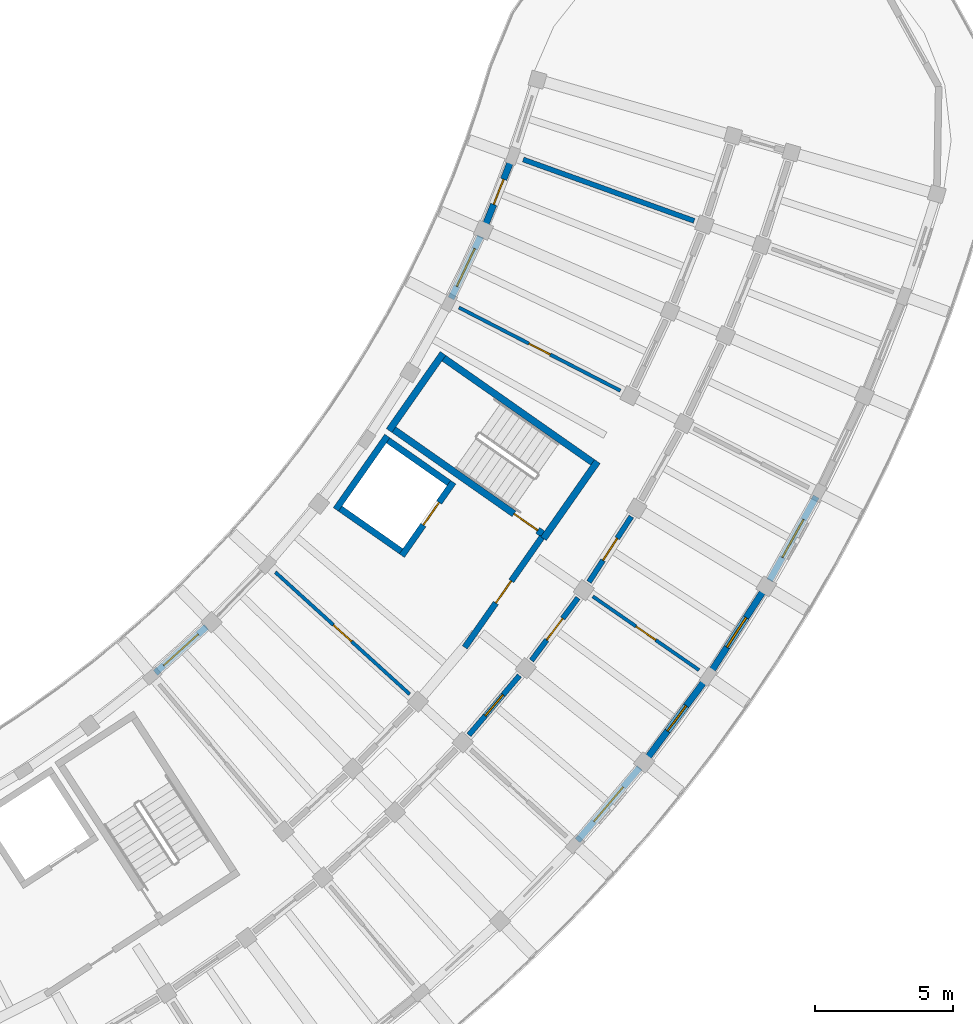
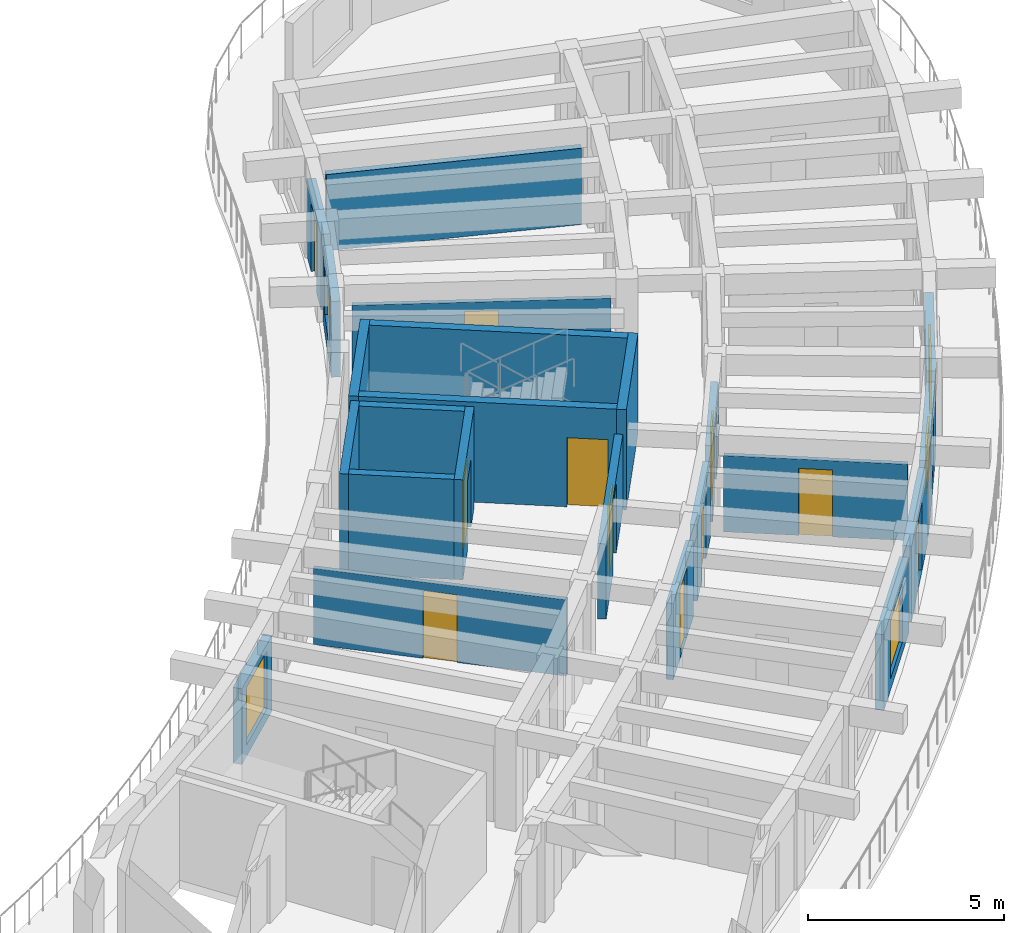
# One storey, part 41 of 69: 23 walls, 11 doors, 5 windows, 16 openings.
"""IFC4 building model written with IfcOpenShell, lengths in metres."""

import ifcopenshell
import ifcopenshell.guid

model = None  # the IFC model being written
_history = None  # IfcOwnerHistory: only IFC2X3 demands one
_inside = {}  # id of a spatial element -> (the spatial element, [elements in it])
_under = {}  # id of a project, library or spatial element -> (it, [spatial elements below it])
_declared = {}  # id of a project -> (the project, [libraries it declares])
_typed = {}  # id of a type object -> (the type object, [elements of that type])
_made_of = {}  # id of a material, layer set ... -> (it, [elements and type objects made of it])


def new_model(schema):
    """Start an empty IFC model of exactly this schema.

    Asked for "IFC4X3", IfcOpenShell would pick the latest addendum, in which some entities
    have other attributes; the version numbers below select the first issue.
    IFC2X3 requires an IfcOwnerHistory on every rooted entity: one is made here for all.
    """
    global model, _history
    if schema == "IFC4X3":
        model = ifcopenshell.file(schema_version=(4, 3, 0, 0))
    else:
        model = ifcopenshell.file(schema=schema)
    _inside.clear()
    _under.clear()
    _declared.clear()
    _typed.clear()
    _made_of.clear()
    _history = None
    if model.schema == "IFC2X3":
        org = make("IfcOrganization", Name="unknown")
        user = make(
            "IfcPersonAndOrganization",
            ThePerson=make("IfcPerson", FamilyName="unknown"),
            TheOrganization=org,
        )
        app = make(
            "IfcApplication",
            ApplicationDeveloper=org,
            Version="unknown",
            ApplicationFullName="unknown",
            ApplicationIdentifier="unknown",
        )
        _history = make(
            "IfcOwnerHistory",
            OwningUser=user,
            OwningApplication=app,
            ChangeAction="ADDED",
            CreationDate=0,
        )
    return model


def make(cls, **values):
    """One entity of the class cls with the attributes given. An attribute that is None is left unset."""
    return model.create_entity(
        cls, **{name: value for name, value in values.items() if value is not None}
    )


def rooted(cls, **values):
    """An entity with a GlobalId (a new one), such as an element, a storey or a relation."""
    return make(cls, GlobalId=ifcopenshell.guid.new(), OwnerHistory=_history, **values)


def si_unit(unit_type, name, prefix=None):
    """IfcSIUnit, for example si_unit("LENGTHUNIT", "METRE", prefix="MILLI")."""
    return make("IfcSIUnit", UnitType=unit_type, Prefix=prefix, Name=name)


def assignment(units):
    """IfcUnitAssignment: the units of a project."""
    return None if units is None else make("IfcUnitAssignment", Units=units)


def point(xyz):
    """IfcCartesianPoint."""
    return None if xyz is None else make("IfcCartesianPoint", Coordinates=xyz)


def direction(xyz):
    """IfcDirection."""
    return None if xyz is None else make("IfcDirection", DirectionRatios=xyz)


def frame(location, z_axis=None, x_axis=None):
    """IfcAxis2Placement3D, a coordinate frame: its origin and axes. An axis left out is left unset."""
    return make(
        "IfcAxis2Placement3D",
        Location=point(location),
        Axis=direction(z_axis),
        RefDirection=direction(x_axis),
    )


def frame_2d(location, x_axis=None):
    """IfcAxis2Placement2D, a coordinate frame in the plane: its origin and x axis."""
    return make(
        "IfcAxis2Placement2D", Location=point(location), RefDirection=direction(x_axis)
    )


def origin():
    """The frame at (0, 0, 0) with its axes left unset."""
    return frame((0.0, 0.0, 0.0))


def place(relative_to, where):
    """IfcLocalPlacement: puts the frame where relative to a parent placement (None: the world)."""
    return make(
        "IfcLocalPlacement", PlacementRelTo=relative_to, RelativePlacement=where
    )


def context(
    kind, dimensions, precision=None, world=None, true_north=None, identifier=None
):
    """IfcGeometricRepresentationContext, for example the 3D "Model" context."""
    return make(
        "IfcGeometricRepresentationContext",
        ContextIdentifier=identifier,
        ContextType=kind,
        CoordinateSpaceDimension=dimensions,
        Precision=precision,
        WorldCoordinateSystem=world,
        TrueNorth=true_north,
    )


def subcontext(parent, identifier, kind, view, scale=None):
    """IfcGeometricRepresentationSubContext, for example "Body" below "Model"."""
    return make(
        "IfcGeometricRepresentationSubContext",
        ContextIdentifier=identifier,
        ContextType=kind,
        ParentContext=parent,
        TargetScale=scale,
        TargetView=view,
    )


def project(units=None, contexts=None):
    """IfcProject with its units and contexts."""
    return rooted(
        "IfcProject",
        Name="project",
        RepresentationContexts=contexts,
        UnitsInContext=assignment(units),
    )


def spatial(cls, under=None, at=None, **own):
    """A site, building, storey or space (cls), placed at a placement, below another one or the project."""
    s = rooted(cls, ObjectPlacement=at, **own)
    if under is not None:
        _under.setdefault(under.id(), (under, []))[1].append(s)
    return s


def profile(cls, at=None, kind="AREA", **sizes):
    """A parametric profile (cls). Its sizes go by their IFC names, for example OverallWidth=200.0."""
    return make(cls, ProfileType=kind, Position=at, **sizes)


def rectangle(**sizes):
    """IfcRectangleProfileDef."""
    return profile("IfcRectangleProfileDef", **sizes)


def extrude(swept, where, along, depth):
    """IfcExtrudedAreaSolid: the profile swept, set in the frame where, extruded along a direction by depth."""
    return make(
        "IfcExtrudedAreaSolid",
        SweptArea=swept,
        Position=where,
        ExtrudedDirection=direction(along),
        Depth=depth,
    )


def shape(context_of_items, identifier, shape_type, items):
    """IfcShapeRepresentation: the items that make up one representation, for example the "Body"."""
    return make(
        "IfcShapeRepresentation",
        ContextOfItems=context_of_items,
        RepresentationIdentifier=identifier,
        RepresentationType=shape_type,
        Items=items,
    )


def material(Name=None, Category=None):
    """IfcMaterial."""
    return make("IfcMaterial", Name=Name, Category=Category)


def layer(
    of_material, thickness, ventilated=None, Name=None, Category=None, Priority=None
):
    """IfcMaterialLayer: one layer of a wall or slab, of a material (None: an air gap)."""
    return make(
        "IfcMaterialLayer",
        Material=of_material,
        LayerThickness=thickness,
        IsVentilated=ventilated,
        Name=Name,
        Category=Category,
        Priority=Priority,
    )


def layer_set(layers, Name=None):
    """IfcMaterialLayerSet."""
    return make("IfcMaterialLayerSet", MaterialLayers=layers, LayerSetName=Name)


def made_of(thing, what):
    """Note that an element or type object is made of a material, layer set ...; save() writes the relation."""
    if what is not None:
        _made_of.setdefault(what.id(), (what, []))[1].append(thing)
    return thing


def type_object(cls, material=None, **own):
    """A type object (cls), such as IfcWallType, which elements share."""
    return made_of(rooted(cls, **own), material)


def element(
    cls,
    number,
    at=None,
    inside=None,
    cuts=None,
    type_object=None,
    material=None,
    context=None,
    identifier="Body",
    shape_type=None,
    held_by="IfcProductDefinitionShape",
    body=None,
    shapes=None,
    **own,
):
    """One element of the class cls, such as IfcWall. Its Tag is "e" and its number.

    at: its placement. inside: the storey or other place that contains it. cuts: it is an
    opening in that element (IfcRelVoidsElement). A single representation is given by context,
    identifier, shape_type and body (its items); several are given by shapes. held_by: the class
    of the entity that holds the representations. save() writes the other relations.
    """
    e = rooted(cls, Tag="e%d" % number, ObjectPlacement=at, **own)
    if body is not None:
        shapes = [shape(context, identifier, shape_type, body)]
    if shapes is not None:
        e.Representation = make(held_by, Representations=shapes)
    if inside is not None:
        _inside.setdefault(inside.id(), (inside, []))[1].append(e)
    if cuts is not None:
        rooted(
            "IfcRelVoidsElement", RelatingBuildingElement=cuts, RelatedOpeningElement=e
        )
    if type_object is not None:
        _typed.setdefault(type_object.id(), (type_object, []))[1].append(e)
    return made_of(e, material)


def fill(opening, filler):
    """IfcRelFillsElement: the door or window that sits in an opening."""
    return rooted(
        "IfcRelFillsElement",
        RelatingOpeningElement=opening,
        RelatedBuildingElement=filler,
    )


def aggregate(whole, parts):
    """IfcRelAggregates: a whole, such as a stair, and the parts it consists of."""
    return rooted("IfcRelAggregates", RelatingObject=whole, RelatedObjects=parts)


def save(model, path):
    """Write the relations noted so far, then the file.

    IfcRelAggregates (storeys below a building ...), IfcRelContainedInSpatialStructure (elements
    in a storey), IfcRelDefinesByType, IfcRelAssociatesMaterial and IfcRelDeclares: one each for
    every whole, place, type object, material and project.
    """
    for whole, parts in _under.values():
        aggregate(whole, parts)
    for where, things in _inside.values():
        rooted(
            "IfcRelContainedInSpatialStructure",
            RelatedElements=things,
            RelatingStructure=where,
        )
    for kind, things in _typed.values():
        rooted("IfcRelDefinesByType", RelatedObjects=things, RelatingType=kind)
    for what, things in _made_of.values():
        rooted("IfcRelAssociatesMaterial", RelatedObjects=things, RelatingMaterial=what)
    for by, libraries in _declared.values():
        rooted("IfcRelDeclares", RelatingContext=by, RelatedDefinitions=libraries)
    model.write(path)


model = new_model("IFC4")

# Units and contexts
model_context = context("Model", 3, precision=1e-05, world=origin(), true_north=direction((0.0, 1.0)))
body_context = subcontext(model_context, "Body", "Model", "MODEL_VIEW")
ifc_project = project(units=[si_unit("LENGTHUNIT", "METRE"), si_unit("AREAUNIT", "SQUARE_METRE"), si_unit("VOLUMEUNIT", "CUBIC_METRE"), si_unit("PLANEANGLEUNIT", "RADIAN"), si_unit("MASSUNIT", "GRAM", prefix="KILO")], contexts=[model_context])

# Site, building, storey
site_placement = place(None, origin())
site = spatial("IfcSite", under=ifc_project, at=site_placement, CompositionType="ELEMENT")
building_placement = place(site_placement, origin())
building = spatial("IfcBuilding", under=site, at=building_placement, Name="Tanwirah Colonnade Gardens", CompositionType="ELEMENT")
storey_placement = place(building_placement, frame((0.0, 0.0, 15.56005859375)))
storey = spatial("IfcBuildingStorey", under=building, at=storey_placement, Name="L04", CompositionType="ELEMENT", Elevation=15.56005859375)

# Wall, opening, window
ifc_material_1 = material(Name="Limestone architectural precast concrete C40/50", Category="masonry")
ifc_layer_1 = layer(ifc_material_1, 0.239990234375)
ifc_layer_set_1 = layer_set([ifc_layer_1], Name="Limestone architectural precast concrete C40/50")
wall_type_1 = type_object("IfcWallType", Name="EW-PC240", PredefinedType="SOLIDWALL", material=ifc_layer_set_1)
wall_1_placement = place(storey_placement, frame((149.8388671875, 30.681640625, 0.0), z_axis=(0.0, 0.0, 1.0), x_axis=(0.741683903342, 0.670749571393, 0.0)))
wall_1 = element("IfcWall", 1, at=wall_1_placement, inside=storey, type_object=wall_type_1, Name="Block D L04 IN Precast Facade Wall 7", PredefinedType="SOLIDWALL", context=body_context, shape_type="SweptSolid", body=[
    extrude(rectangle(XDim=2.498779296875, YDim=0.239990234375, at=frame_2d((1.24951171875, 0.0))), origin(), (0.0, 0.0, 1.0), 2.35498046875),
])
opening_1_placement = place(wall_1_placement, frame((0.3994140625, 0.0, 0.35009765625)))
opening_1 = element("IfcOpeningElement", 2, at=opening_1_placement, cuts=wall_1, Name="Opening WIN-T12", PredefinedType="OPENING", context=body_context, shape_type="SweptSolid", body=[
    extrude(rectangle(XDim=1.699951171875, YDim=1.800048828125, at=frame_2d((0.85009765625, 0.89990234375))), frame((0.0, 0.1298828125, 0.0), z_axis=(0.0, -1.0, 0.0), x_axis=(1.0, 0.0, 0.0)), (0.0, 0.0, 1.0), 0.260009765625),
])
ifc_material_2 = material(Name="Thermally broken bronze aluminium and solar low-E double glazing", Category="aluminium")
window_type_1 = type_object("IfcWindowType", Name="WIN-T12", PartitioningType="TRIPLE_PANEL_VERTICAL", PredefinedType="WINDOW", material=ifc_material_2)
window_1_placement = place(opening_1_placement, origin())
window_1 = element("IfcWindow", 3, at=window_1_placement, inside=storey, type_object=window_type_1, Name="Facade window D-L04-IN-07", OverallHeight=1.800048828125, OverallWidth=1.699951171875, PartitioningType="SINGLE_PANEL", PredefinedType="WINDOW", context=body_context, shape_type="SweptSolid", body=[
    extrude(rectangle(XDim=1.699951171875, YDim=1.800048828125, at=frame_2d((0.85009765625, 0.89990234375))), frame((0.0, 0.030029296875, 0.0), z_axis=(0.0, -1.0, 0.0), x_axis=(1.0, 0.0, 0.0)), (0.0, 0.0, 1.0), 0.06005859375),
])
fill(opening_1, window_1)

wall_2_placement = place(storey_placement, frame((165.18359375, 24.58251953125, 0.0), z_axis=(0.0, 0.0, 1.0), x_axis=(0.647811002696, 0.761801092665, 0.0)))
wall_2 = element("IfcWall", 4, at=wall_2_placement, inside=storey, type_object=wall_type_1, Name="Block D L04 OUT Precast Facade Wall 9", PredefinedType="SOLIDWALL", context=body_context, shape_type="SweptSolid", body=[
    extrude(rectangle(XDim=3.48681640625, YDim=0.239990234375, at=frame_2d((1.743408203125, 0.0))), origin(), (0.0, 0.0, 1.0), 2.35498046875),
])
opening_2_placement = place(wall_2_placement, frame((0.91845703125, 0.0, 0.35009765625)))
opening_2 = element("IfcOpeningElement", 5, at=opening_2_placement, cuts=wall_2, Name="Opening WIN-T11", PredefinedType="OPENING", context=body_context, shape_type="SweptSolid", body=[
    extrude(rectangle(XDim=1.64990234375, YDim=1.800048828125, at=frame_2d((0.824951171875, 0.89990234375))), frame((0.0, 0.1298828125, 0.0), z_axis=(0.0, -1.0, 0.0), x_axis=(1.0, 0.0, 0.0)), (0.0, 0.0, 1.0), 0.260009765625),
])
window_type_2 = type_object("IfcWindowType", Name="WIN-T11", PartitioningType="DOUBLE_PANEL_VERTICAL", PredefinedType="WINDOW", material=ifc_material_2)
window_2_placement = place(opening_2_placement, origin())
window_2 = element("IfcWindow", 6, at=window_2_placement, inside=storey, type_object=window_type_2, Name="Facade window D-L04-OUT-09", OverallHeight=1.800048828125, OverallWidth=1.64990234375, PartitioningType="SINGLE_PANEL", PredefinedType="WINDOW", context=body_context, shape_type="SweptSolid", body=[
    extrude(rectangle(XDim=1.64990234375, YDim=1.800048828125, at=frame_2d((0.824951171875, 0.89990234375))), frame((0.0, 0.030029296875, 0.0), z_axis=(0.0, -1.0, 0.0), x_axis=(1.0, 0.0, 0.0)), (0.0, 0.0, 1.0), 0.06005859375),
])
fill(opening_2, window_2)

# Wall, opening, door
wall_3_placement = place(storey_placement, frame((167.75341796875, 27.6298828125, 0.0), z_axis=(0.0, 0.0, 1.0), x_axis=(0.596611432616, 0.802530247699, 0.0)))
wall_3 = element("IfcWall", 7, at=wall_3_placement, inside=storey, type_object=wall_type_1, Name="Block D L04 OUT Precast Facade Wall 10", PredefinedType="SOLIDWALL", context=body_context, shape_type="SweptSolid", body=[
    extrude(rectangle(XDim=3.48681640625, YDim=0.239990234375, at=frame_2d((1.743408203125, 0.0))), origin(), (0.0, 0.0, 1.0), 2.35498046875),
])
opening_3_placement = place(wall_3_placement, frame((1.17333984375, 0.0, 0.0)))
opening_3 = element("IfcOpeningElement", 8, at=opening_3_placement, cuts=wall_3, Name="Opening L04-ED195", PredefinedType="OPENING", context=body_context, shape_type="SweptSolid", body=[
    extrude(rectangle(XDim=1.139892578125, YDim=2.159912109375, at=frame_2d((0.56982421875, 1.080078125))), frame((0.0, 0.1298828125, 0.0), z_axis=(0.0, -1.0, 0.0), x_axis=(1.0, 0.0, 0.0)), (0.0, 0.0, 1.0), 0.260009765625),
])
ifc_material_3 = material(Name="Bronze aluminium glazed balcony door", Category="aluminium")
door_type_1 = type_object("IfcDoorType", Name="ED-BAL114", OperationType="NOTDEFINED", PredefinedType="DOOR", material=ifc_material_3)
door_1_placement = place(opening_3_placement, origin())
door_1 = element("IfcDoor", 9, at=door_1_placement, inside=storey, type_object=door_type_1, Name="Balcony glazed door L04-ED195", OperationType="SINGLE_SWING_LEFT", OverallHeight=2.159912109375, OverallWidth=1.139892578125, PredefinedType="DOOR", context=body_context, shape_type="SweptSolid", body=[
    extrude(rectangle(XDim=1.139892578125, YDim=2.159912109375, at=frame_2d((0.56982421875, 1.080078125))), frame((0.0, 0.02490234375, 0.0), z_axis=(0.0, -1.0, 0.0), x_axis=(1.0, 0.0, 0.0)), (0.0, 0.0, 1.0), 0.050048828125),
])
fill(opening_3, door_1)

# Wall, opening, window
wall_4_placement = place(storey_placement, frame((170.015869140625, 30.691162109375, 0.0), z_axis=(0.0, 0.0, 1.0), x_axis=(0.542833164741, 0.839840553472, 0.0)))
wall_4 = element("IfcWall", 10, at=wall_4_placement, inside=storey, type_object=wall_type_1, Name="Block D L04 OUT Precast Facade Wall 11", PredefinedType="SOLIDWALL", context=body_context, shape_type="SweptSolid", body=[
    extrude(rectangle(XDim=3.48681640625, YDim=0.239990234375, at=frame_2d((1.743408203125, 0.0))), origin(), (0.0, 0.0, 1.0), 2.35498046875),
])
opening_4_placement = place(wall_4_placement, frame((1.103515625, 0.0, 0.550048828125)))
opening_4 = element("IfcOpeningElement", 11, at=opening_4_placement, cuts=wall_4, Name="Opening WIN-T17", PredefinedType="OPENING", context=body_context, shape_type="SweptSolid", body=[
    extrude(rectangle(XDim=1.280029296875, YDim=1.52001953125, at=frame_2d((0.64013671875, 0.760009765625))), frame((0.0, 0.1298828125, 0.0), z_axis=(0.0, -1.0, 0.0), x_axis=(1.0, 0.0, 0.0)), (0.0, 0.0, 1.0), 0.260009765625),
])
window_type_3 = type_object("IfcWindowType", Name="WIN-T17", PartitioningType="SINGLE_PANEL", PredefinedType="WINDOW", material=ifc_material_2)
window_3_placement = place(opening_4_placement, origin())
window_3 = element("IfcWindow", 12, at=window_3_placement, inside=storey, type_object=window_type_3, Name="Facade window D-L04-OUT-11", OverallHeight=1.52001953125, OverallWidth=1.280029296875, PartitioningType="SINGLE_PANEL", PredefinedType="WINDOW", context=body_context, shape_type="SweptSolid", body=[
    extrude(rectangle(XDim=1.280029296875, YDim=1.52001953125, at=frame_2d((0.64013671875, 0.760009765625))), frame((0.0, 0.030029296875, 0.0), z_axis=(0.0, -1.0, 0.0), x_axis=(1.0, 0.0, 0.0)), (0.0, 0.0, 1.0), 0.06005859375),
])
fill(opening_4, window_3)

wall_5_placement = place(storey_placement, frame((172.166015625, 34.0478515625, 0.0), z_axis=(0.0, 0.0, 1.0), x_axis=(0.486706738221, 0.87356542455, 0.0)))
wall_5 = element("IfcWall", 13, at=wall_5_placement, inside=storey, type_object=wall_type_1, Name="Block D L04 OUT Precast Facade Wall 12", PredefinedType="SOLIDWALL", context=body_context, shape_type="SweptSolid", body=[
    extrude(rectangle(XDim=3.48681640625, YDim=0.239990234375, at=frame_2d((1.743408203125, 0.0))), origin(), (0.0, 0.0, 1.0), 2.35498046875),
])
opening_5_placement = place(wall_5_placement, frame((0.953369140625, 0.0, 0.35009765625)))
opening_5 = element("IfcOpeningElement", 14, at=opening_5_placement, cuts=wall_5, Name="Opening WIN-T20", PredefinedType="OPENING", context=body_context, shape_type="SweptSolid", body=[
    extrude(rectangle(XDim=1.580078125, YDim=1.679931640625, at=frame_2d((0.7900390625, 0.83984375))), frame((0.0, 0.1298828125, 0.0), z_axis=(0.0, -1.0, 0.0), x_axis=(1.0, 0.0, 0.0)), (0.0, 0.0, 1.0), 0.260009765625),
])
window_type_4 = type_object("IfcWindowType", Name="WIN-T20", PartitioningType="DOUBLE_PANEL_VERTICAL", PredefinedType="WINDOW", material=ifc_material_2)
window_4_placement = place(opening_5_placement, origin())
window_4 = element("IfcWindow", 15, at=window_4_placement, inside=storey, type_object=window_type_4, Name="Facade window D-L04-OUT-12", OverallHeight=1.679931640625, OverallWidth=1.580078125, PartitioningType="SINGLE_PANEL", PredefinedType="WINDOW", context=body_context, shape_type="SweptSolid", body=[
    extrude(rectangle(XDim=1.580078125, YDim=1.679931640625, at=frame_2d((0.7900390625, 0.83984375))), frame((0.0, 0.030029296875, 0.0), z_axis=(0.0, -1.0, 0.0), x_axis=(1.0, 0.0, 0.0)), (0.0, 0.0, 1.0), 0.06005859375),
])
fill(opening_5, window_4)

wall_6_placement = place(storey_placement, frame((160.58544921875, 44.2919921875, 0.0), z_axis=(0.0, 0.0, 1.0), x_axis=(0.428514676045, 0.903534820809, 0.0)))
wall_6 = element("IfcWall", 16, at=wall_6_placement, inside=storey, type_object=wall_type_1, Name="Block D L04 IN Precast Facade Wall 13", PredefinedType="SOLIDWALL", context=body_context, shape_type="SweptSolid", body=[
    extrude(rectangle(XDim=2.498779296875, YDim=0.239990234375, at=frame_2d((1.24951171875, 0.0))), origin(), (0.0, 0.0, 1.0), 2.35498046875),
])
opening_6_placement = place(wall_6_placement, frame((0.489501953125, 0.0, 0.550048828125)))
opening_6 = element("IfcOpeningElement", 17, at=opening_6_placement, cuts=wall_6, Name="Opening WIN-U10", PredefinedType="OPENING", context=body_context, shape_type="SweptSolid", body=[
    extrude(rectangle(XDim=1.52001953125, YDim=1.485107421875, at=frame_2d((0.760009765625, 0.74267578125))), frame((0.0, 0.1298828125, 0.0), z_axis=(0.0, -1.0, 0.0), x_axis=(1.0, 0.0, 0.0)), (0.0, 0.0, 1.0), 0.260009765625),
])
window_type_5 = type_object("IfcWindowType", Name="WIN-U10", PartitioningType="DOUBLE_PANEL_VERTICAL", PredefinedType="WINDOW", material=ifc_material_2)
window_5_placement = place(opening_6_placement, origin())
window_5 = element("IfcWindow", 18, at=window_5_placement, inside=storey, type_object=window_type_5, Name="Facade window D-L04-IN-13", OverallHeight=1.485107421875, OverallWidth=1.52001953125, PartitioningType="SINGLE_PANEL", PredefinedType="WINDOW", context=body_context, shape_type="SweptSolid", body=[
    extrude(rectangle(XDim=1.52001953125, YDim=1.485107421875, at=frame_2d((0.760009765625, 0.74267578125))), frame((0.0, 0.030029296875, 0.0), z_axis=(0.0, -1.0, 0.0), x_axis=(1.0, 0.0, 0.0)), (0.0, 0.0, 1.0), 0.06005859375),
])
fill(opening_6, window_5)

# Wall, opening, door
wall_7_placement = place(storey_placement, frame((161.85546875, 47.008056640625, 0.0), z_axis=(0.0, 0.0, 1.0), x_axis=(0.368558756085, 0.9296044553, 0.0)))
wall_7 = element("IfcWall", 19, at=wall_7_placement, inside=storey, type_object=wall_type_1, Name="Block D L04 IN Precast Facade Wall 14", PredefinedType="SOLIDWALL", context=body_context, shape_type="SweptSolid", body=[
    extrude(rectangle(XDim=2.49853515625, YDim=0.239990234375, at=frame_2d((1.249267578125, 0.0))), origin(), (0.0, 0.0, 1.0), 2.35498046875),
])
opening_7_placement = place(wall_7_placement, frame((0.759521484375, 0.0, 0.0)))
opening_7 = element("IfcOpeningElement", 20, at=opening_7_placement, cuts=wall_7, Name="Opening L04-ED197", PredefinedType="OPENING", context=body_context, shape_type="SweptSolid", body=[
    extrude(rectangle(XDim=0.97998046875, YDim=2.1201171875, at=frame_2d((0.489990234375, 1.06005859375))), frame((0.0, 0.1298828125, 0.0), z_axis=(0.0, -1.0, 0.0), x_axis=(1.0, 0.0, 0.0)), (0.0, 0.0, 1.0), 0.260009765625),
])
door_type_2 = type_object("IfcDoorType", Name="ED-BAL098", OperationType="NOTDEFINED", PredefinedType="DOOR", material=ifc_material_3)
door_2_placement = place(opening_7_placement, origin())
door_2 = element("IfcDoor", 21, at=door_2_placement, inside=storey, type_object=door_type_2, Name="Balcony glazed door L04-ED197", OperationType="SINGLE_SWING_LEFT", OverallHeight=2.1201171875, OverallWidth=0.97998046875, PredefinedType="DOOR", context=body_context, shape_type="SweptSolid", body=[
    extrude(rectangle(XDim=0.97998046875, YDim=2.1201171875, at=frame_2d((0.489990234375, 1.06005859375))), frame((0.0, 0.02490234375, 0.0), z_axis=(0.0, -1.0, 0.0), x_axis=(1.0, 0.0, 0.0)), (0.0, 0.0, 1.0), 0.050048828125),
])
fill(opening_7, door_2)

ifc_material_4 = material(Name="Precast concrete C40/50", Category="concrete")
ifc_layer_2 = layer(ifc_material_4, 0.195068359375)
ifc_layer_set_2 = layer_set([ifc_layer_2], Name="Precast concrete C40/50")
wall_type_2 = type_object("IfcWallType", Name="IW-CORR195", PredefinedType="PARTITIONING", material=ifc_layer_set_2)
wall_8_placement = place(storey_placement, frame((161.235595703125, 28.42529296875, 0.0), z_axis=(0.0, 0.0, 1.0), x_axis=(0.64778830669, 0.761820392032, 0.0)))
wall_8 = element("IfcWall", 22, at=wall_8_placement, inside=storey, type_object=wall_type_2, Name="Block D L04 OUT Corridor Wall 9", PredefinedType="PARTITIONING", context=body_context, shape_type="SweptSolid", body=[
    extrude(rectangle(XDim=2.8369140625, YDim=0.195068359375, at=frame_2d((1.41845703125, 0.0))), origin(), (0.0, 0.0, 1.0), 2.369873046875),
])
opening_8_placement = place(wall_8_placement, frame((0.923583984375, 0.0, 0.0)))
opening_8 = element("IfcOpeningElement", 23, at=opening_8_placement, cuts=wall_8, Name="Opening L04-AD1822", PredefinedType="OPENING", context=body_context, shape_type="SweptSolid", body=[
    extrude(rectangle(XDim=0.989990234375, YDim=2.159912109375, at=frame_2d((0.4951171875, 1.080078125))), frame((0.0, 0.107421875, 0.0), z_axis=(0.0, -1.0, 0.0), x_axis=(1.0, 0.0, 0.0)), (0.0, 0.0, 1.0), 0.215087890625),
])
ifc_material_5 = material(Name="Solid oak fire-resisting apartment entrance door")
door_type_3 = type_object("IfcDoorType", Name="ID-FLT099", OperationType="NOTDEFINED", PredefinedType="DOOR", material=ifc_material_5)
door_3_placement = place(opening_8_placement, origin())
door_3 = element("IfcDoor", 24, at=door_3_placement, inside=storey, type_object=door_type_3, Name="Apartment corridor door L04-AD1822", OperationType="SINGLE_SWING_RIGHT", OverallHeight=2.159912109375, OverallWidth=0.989990234375, PredefinedType="DOOR", context=body_context, shape_type="SweptSolid", body=[
    extrude(rectangle(XDim=0.989990234375, YDim=2.159912109375, at=frame_2d((0.4951171875, 1.080078125))), frame((0.0, 0.02490234375, 0.0), z_axis=(0.0, -1.0, 0.0), x_axis=(1.0, 0.0, 0.0)), (0.0, 0.0, 1.0), 0.050048828125),
])
fill(opening_8, door_3)

wall_9_placement = place(storey_placement, frame((163.5087890625, 31.134033203125, 0.0), z_axis=(0.0, 0.0, 1.0), x_axis=(0.596552136601, 0.802574325727, 0.0)))
wall_9 = element("IfcWall", 25, at=wall_9_placement, inside=storey, type_object=wall_type_2, Name="Block D L04 OUT Corridor Wall 10", PredefinedType="PARTITIONING", context=body_context, shape_type="SweptSolid", body=[
    extrude(rectangle(XDim=2.8369140625, YDim=0.195068359375, at=frame_2d((1.41845703125, 0.0))), origin(), (0.0, 0.0, 1.0), 2.369873046875),
])
opening_9_placement = place(wall_9_placement, frame((0.93359375, 0.0, 0.0)))
opening_9 = element("IfcOpeningElement", 26, at=opening_9_placement, cuts=wall_9, Name="Opening L04-AD1823", PredefinedType="OPENING", context=body_context, shape_type="SweptSolid", body=[
    extrude(rectangle(XDim=0.969970703125, YDim=2.14990234375, at=frame_2d((0.48486328125, 1.074951171875))), frame((0.0, 0.107421875, 0.0), z_axis=(0.0, -1.0, 0.0), x_axis=(1.0, 0.0, 0.0)), (0.0, 0.0, 1.0), 0.215087890625),
])
door_type_4 = type_object("IfcDoorType", Name="ID-FLT097", OperationType="NOTDEFINED", PredefinedType="DOOR", material=ifc_material_5)
door_4_placement = place(opening_9_placement, origin())
door_4 = element("IfcDoor", 27, at=door_4_placement, inside=storey, type_object=door_type_4, Name="Apartment corridor door L04-AD1823", OperationType="SINGLE_SWING_LEFT", OverallHeight=2.14990234375, OverallWidth=0.969970703125, PredefinedType="DOOR", context=body_context, shape_type="SweptSolid", body=[
    extrude(rectangle(XDim=0.969970703125, YDim=2.14990234375, at=frame_2d((0.48486328125, 1.074951171875))), frame((0.0, 0.02490234375, 0.0), z_axis=(0.0, -1.0, 0.0), x_axis=(1.0, 0.0, 0.0)), (0.0, 0.0, 1.0), 0.050048828125),
])
fill(opening_9, door_4)

wall_10_placement = place(storey_placement, frame((165.60009765625, 33.985595703125, 0.0), z_axis=(0.0, 0.0, 1.0), x_axis=(0.542787304957, 0.83987019329, 0.0)))
wall_10 = element("IfcWall", 28, at=wall_10_placement, inside=storey, type_object=wall_type_2, Name="Block D L04 OUT Corridor Wall 11", PredefinedType="PARTITIONING", context=body_context, shape_type="SweptSolid", body=[
    extrude(rectangle(XDim=2.8369140625, YDim=0.195068359375, at=frame_2d((1.41845703125, 0.0))), origin(), (0.0, 0.0, 1.0), 2.369873046875),
])
opening_10_placement = place(wall_10_placement, frame((0.943603515625, 0.0, 0.0)))
opening_10 = element("IfcOpeningElement", 29, at=opening_10_placement, cuts=wall_10, Name="Opening L04-AD1825", PredefinedType="OPENING", context=body_context, shape_type="SweptSolid", body=[
    extrude(rectangle(XDim=0.949951171875, YDim=2.1298828125, at=frame_2d((0.47509765625, 1.06494140625))), frame((0.0, 0.107421875, 0.0), z_axis=(0.0, -1.0, 0.0), x_axis=(1.0, 0.0, 0.0)), (0.0, 0.0, 1.0), 0.215087890625),
])
door_type_5 = type_object("IfcDoorType", Name="ID-FLT095", OperationType="NOTDEFINED", PredefinedType="DOOR", material=ifc_material_5)
door_5_placement = place(opening_10_placement, origin())
door_5 = element("IfcDoor", 30, at=door_5_placement, inside=storey, type_object=door_type_5, Name="Apartment corridor door L04-AD1825", OperationType="SINGLE_SWING_RIGHT", OverallHeight=2.1298828125, OverallWidth=0.949951171875, PredefinedType="DOOR", context=body_context, shape_type="SweptSolid", body=[
    extrude(rectangle(XDim=0.949951171875, YDim=2.1298828125, at=frame_2d((0.47509765625, 1.06494140625))), frame((0.0, 0.02490234375, 0.0), z_axis=(0.0, -1.0, 0.0), x_axis=(1.0, 0.0, 0.0)), (0.0, 0.0, 1.0), 0.050048828125),
])
fill(opening_10, door_5)

# Wall
ifc_layer_3 = layer(ifc_material_4, 0.18505859375)
ifc_layer_set_3 = layer_set([ifc_layer_3], Name="Precast concrete C40/50")
wall_type_3 = type_object("IfcWallType", Name="IW-DEM185", PredefinedType="PARTITIONING", material=ifc_layer_set_3)
wall_11_placement = place(storey_placement, frame((163.211669921875, 49.344482421875, 0.0), z_axis=(0.0, 0.0, 1.0), x_axis=(0.941179890997, -0.337905922978, 0.0)))
element("IfcWall", 31, at=wall_11_placement, inside=storey, type_object=wall_type_3, Name="Block D L04 Inner Radial Partition 14", PredefinedType="PARTITIONING", context=body_context, shape_type="SweptSolid", body=[
    extrude(rectangle(XDim=6.60009765625, YDim=0.18505859375, at=frame_2d((3.300048828125, 0.0))), origin(), (0.0, 0.0, 1.0), 2.369873046875),
])

# Wall, opening, door
ifc_material_6 = material(Name="Autoclaved aerated masonry blockwork", Category="masonry")
ifc_layer_4 = layer(ifc_material_6, 0.219970703125)
ifc_layer_set_4 = layer_set([ifc_layer_4], Name="Autoclaved aerated masonry blockwork")
wall_type_4 = type_object("IfcWallType", Name="IW-FFL220", PredefinedType="PARTITIONING", material=ifc_layer_set_4)
wall_12_placement = place(storey_placement, frame((163.89501953125, 35.624267578125, 0.0), z_axis=(0.0, 0.0, 1.0), x_axis=(-0.573572687386, -0.819154669329, 0.0)))
wall_12 = element("IfcWall", 32, at=wall_12_placement, inside=storey, type_object=wall_type_4, Name="CORE-D2 L04 Enclosed Lobby Fire Wall", PredefinedType="PARTITIONING", context=body_context, shape_type="SweptSolid", body=[
    extrude(rectangle(XDim=4.900146484375, YDim=0.219970703125, at=frame_2d((2.4501953125, 0.0))), origin(), (0.0, 0.0, 1.0), 2.33984375),
])
opening_11_placement = place(wall_12_placement, frame((1.949951171875, 0.0, 0.0)))
opening_11 = element("IfcOpeningElement", 33, at=opening_11_placement, cuts=wall_12, Name="Opening L04-LD204", PredefinedType="OPENING", context=body_context, shape_type="SweptSolid", body=[
    extrude(rectangle(XDim=0.97998046875, YDim=2.139892578125, at=frame_2d((0.489990234375, 1.06982421875))), frame((0.0, 0.119873046875, 0.0), z_axis=(0.0, -1.0, 0.0), x_axis=(1.0, 0.0, 0.0)), (0.0, 0.0, 1.0), 0.239990234375),
])
ifc_material_7 = material(Name="Acoustic fire-resisting lobby door")
door_type_6 = type_object("IfcDoorType", Name="ID-FFL098", OperationType="NOTDEFINED", PredefinedType="DOOR", material=ifc_material_7)
door_6_placement = place(opening_11_placement, origin())
door_6 = element("IfcDoor", 34, at=door_6_placement, inside=storey, type_object=door_type_6, Name="CORE-D2 L04 Lobby Fire Door L04-LD204", OperationType="SINGLE_SWING_LEFT", OverallHeight=2.139892578125, OverallWidth=0.97998046875, PredefinedType="DOOR", context=body_context, shape_type="SweptSolid", body=[
    extrude(rectangle(XDim=0.97998046875, YDim=2.139892578125, at=frame_2d((0.489990234375, 1.06982421875))), frame((0.0, 0.02490234375, 0.0), z_axis=(0.0, -1.0, 0.0), x_axis=(1.0, 0.0, 0.0)), (0.0, 0.0, 1.0), 0.050048828125),
])
fill(opening_11, door_6)

ifc_material_8 = material(Name="Moisture-resistant gypsum stud partition")
ifc_layer_5 = layer(ifc_material_8, 0.125)
ifc_layer_set_5 = layer_set([ifc_layer_5], Name="Moisture-resistant gypsum stud partition")
wall_type_5 = type_object("IfcWallType", Name="IW-INT125", PredefinedType="PARTITIONING", material=ifc_layer_set_5)
wall_13_placement = place(storey_placement, frame((154.19873046875, 34.34423828125, 0.0), z_axis=(0.0, 0.0, 1.0), x_axis=(0.74023124711, -0.672352363573, 0.0)))
wall_13 = element("IfcWall", 35, at=wall_13_placement, inside=storey, type_object=wall_type_5, Name="Block D L04 Inner Radial Partition 8", PredefinedType="PARTITIONING", context=body_context, shape_type="SweptSolid", body=[
    extrude(rectangle(XDim=6.599853515625, YDim=0.125, at=frame_2d((3.2998046875, 0.0))), origin(), (0.0, 0.0, 1.0), 2.369873046875),
])
opening_12_placement = place(wall_13_placement, frame((2.85498046875, 0.0, 0.0)))
opening_12 = element("IfcOpeningElement", 36, at=opening_12_placement, cuts=wall_13, Name="Opening L04-RD1821", PredefinedType="OPENING", context=body_context, shape_type="SweptSolid", body=[
    extrude(rectangle(XDim=0.889892578125, YDim=2.10009765625, at=frame_2d((0.44482421875, 1.050048828125))), frame((0.0, 0.072509765625, 0.0), z_axis=(0.0, -1.0, 0.0), x_axis=(1.0, 0.0, 0.0)), (0.0, 0.0, 1.0), 0.14501953125),
])
ifc_material_9 = material(Name="Painted hardwood bedroom door", Category="wood")
door_type_7 = type_object("IfcDoorType", Name="ID-RM089", OperationType="NOTDEFINED", PredefinedType="DOOR", material=ifc_material_9)
door_7_placement = place(opening_12_placement, origin())
door_7 = element("IfcDoor", 37, at=door_7_placement, inside=storey, type_object=door_type_7, Name="Internal apartment door L04-RD1821", OperationType="SINGLE_SWING_RIGHT", OverallHeight=2.10009765625, OverallWidth=0.889892578125, PredefinedType="DOOR", context=body_context, shape_type="SweptSolid", body=[
    extrude(rectangle(XDim=0.889892578125, YDim=2.10009765625, at=frame_2d((0.44482421875, 1.050048828125))), frame((0.0, 0.02490234375, 0.0), z_axis=(0.0, -1.0, 0.0), x_axis=(1.0, 0.0, 0.0)), (0.0, 0.0, 1.0), 0.050048828125),
])
fill(opening_12, door_7)

wall_14_placement = place(storey_placement, frame((165.73876953125, 33.463623046875, 0.0), z_axis=(0.0, 0.0, 1.0), x_axis=(0.821638260647, -0.570009270663, 0.0)))
wall_14 = element("IfcWall", 38, at=wall_14_placement, inside=storey, type_object=wall_type_5, Name="Block D L04 Radial Partition 10", PredefinedType="PARTITIONING", context=body_context, shape_type="SweptSolid", body=[
    extrude(rectangle(XDim=4.699951171875, YDim=0.125, at=frame_2d((2.35009765625, 0.0))), origin(), (0.0, 0.0, 1.0), 2.369873046875),
])
opening_13_placement = place(wall_14_placement, frame((1.9150390625, 0.0, 0.0)))
opening_13 = element("IfcOpeningElement", 39, at=opening_13_placement, cuts=wall_14, Name="Opening L04-RD1824", PredefinedType="OPENING", context=body_context, shape_type="SweptSolid", body=[
    extrude(rectangle(XDim=0.8701171875, YDim=2.080078125, at=frame_2d((0.43505859375, 1.0400390625))), frame((0.0, 0.072509765625, 0.0), z_axis=(0.0, -1.0, 0.0), x_axis=(1.0, 0.0, 0.0)), (0.0, 0.0, 1.0), 0.14501953125),
])
ifc_material_10 = material(Name="Painted hardwood study door", Category="wood")
door_type_8 = type_object("IfcDoorType", Name="ID-RM087", OperationType="NOTDEFINED", PredefinedType="DOOR", material=ifc_material_10)
door_8_placement = place(opening_13_placement, origin())
door_8 = element("IfcDoor", 40, at=door_8_placement, inside=storey, type_object=door_type_8, Name="Internal apartment door L04-RD1824", OperationType="SINGLE_SWING_LEFT", OverallHeight=2.080078125, OverallWidth=0.8701171875, PredefinedType="DOOR", context=body_context, shape_type="SweptSolid", body=[
    extrude(rectangle(XDim=0.8701171875, YDim=2.080078125, at=frame_2d((0.43505859375, 1.0400390625))), frame((0.0, 0.02490234375, 0.0), z_axis=(0.0, -1.0, 0.0), x_axis=(1.0, 0.0, 0.0)), (0.0, 0.0, 1.0), 0.050048828125),
])
fill(opening_13, door_8)

wall_15_placement = place(storey_placement, frame((160.872314453125, 43.96435546875, 0.0), z_axis=(0.0, 0.0, 1.0), x_axis=(0.889022010753, -0.457864460727, 0.0)))
wall_15 = element("IfcWall", 41, at=wall_15_placement, inside=storey, type_object=wall_type_5, Name="Block D L04 Inner Radial Partition 12", PredefinedType="PARTITIONING", context=body_context, shape_type="SweptSolid", body=[
    extrude(rectangle(XDim=6.60009765625, YDim=0.125, at=frame_2d((3.300048828125, 0.0))), origin(), (0.0, 0.0, 1.0), 2.369873046875),
])
opening_14_placement = place(wall_15_placement, frame((2.864990234375, 0.0, 0.0)))
opening_14 = element("IfcOpeningElement", 42, at=opening_14_placement, cuts=wall_15, Name="Opening L04-RD1828", PredefinedType="OPENING", context=body_context, shape_type="SweptSolid", body=[
    extrude(rectangle(XDim=0.8701171875, YDim=2.080078125, at=frame_2d((0.43505859375, 1.0400390625))), frame((0.0, 0.072509765625, 0.0), z_axis=(0.0, -1.0, 0.0), x_axis=(1.0, 0.0, 0.0)), (0.0, 0.0, 1.0), 0.14501953125),
])
door_9_placement = place(opening_14_placement, origin())
door_9 = element("IfcDoor", 43, at=door_9_placement, inside=storey, type_object=door_type_8, Name="Internal apartment door L04-RD1828", OperationType="SINGLE_SWING_RIGHT", OverallHeight=2.080078125, OverallWidth=0.8701171875, PredefinedType="DOOR", context=body_context, shape_type="SweptSolid", body=[
    extrude(rectangle(XDim=0.8701171875, YDim=2.080078125, at=frame_2d((0.43505859375, 1.0400390625))), frame((0.0, 0.02490234375, 0.0), z_axis=(0.0, -1.0, 0.0), x_axis=(1.0, 0.0, 0.0)), (0.0, 0.0, 1.0), 0.050048828125),
])
fill(opening_14, door_9)

# Walls
ifc_material_11 = material(Name="Concrete C45/55", Category="concrete")
ifc_layer_6 = layer(ifc_material_11, 0.25)
ifc_layer_set_6 = layer_set([ifc_layer_6], Name="Concrete C45/55")
wall_type_6 = type_object("IfcWallType", Name="SW-CORE250", PredefinedType="SHEAR", material=ifc_layer_set_6)
wall_16_placement = place(storey_placement, frame((165.732666015625, 38.335693359375, 0.0), z_axis=(0.0, 0.0, 1.0), x_axis=(-0.819153711596, 0.573574055182, 0.0)))
element("IfcWall", 44, at=wall_16_placement, inside=storey, type_object=wall_type_6, Name="CORE-D2 L04 Stair Shaft Shear Wall LEFT", PredefinedType="SHEAR", context=body_context, shape_type="SweptSolid", body=[
    extrude(rectangle(XDim=6.60009765625, YDim=0.25, at=frame_2d((3.300048828125, 0.0))), origin(), (0.0, 0.0, 1.0), 3.10986328125),
])
for number, where, z_axis, x_axis, name in (
    (45, (160.29541015625, 42.29541015625, 0.0), (0.0, 0.0, 1.0), (-0.573582112484, -0.819148069789, 0.0), "CORE-D2 L04 Stair Shaft Shear Wall FAR"),
    (46, (165.90673828125, 38.366455078125, 0.0), (0.0, 0.0, 1.0), (-0.573582112484, -0.819148069789, 0.0), "CORE-D2 L04 Stair Shaft Shear Wall NEAR"),
):
    element("IfcWall", number, at=place(storey_placement, frame(where, z_axis=z_axis, x_axis=x_axis)), inside=storey, type_object=wall_type_6, Name=name, PredefinedType="SHEAR", context=body_context, shape_type="SweptSolid", body=[
        extrude(rectangle(XDim=3.419921875, YDim=0.25, at=frame_2d((1.7099609375, 0.0))), origin(), (0.0, 0.0, 1.0), 3.10986328125),
    ])

# Wall, opening, door
wall_17_placement = place(storey_placement, frame((163.914306640625, 35.739013671875, 0.0), z_axis=(0.0, 0.0, 1.0), x_axis=(-0.819153711596, 0.573574055182, 0.0)))
wall_17 = element("IfcWall", 47, at=wall_17_placement, inside=storey, type_object=wall_type_6, Name="CORE-D2 L04 Stair Shaft Shear Wall RIGHT", PredefinedType="SHEAR", context=body_context, shape_type="SweptSolid", body=[
    extrude(rectangle(XDim=6.60009765625, YDim=0.25, at=frame_2d((3.300048828125, 0.0))), origin(), (0.0, 0.0, 1.0), 3.10986328125),
])
opening_15_placement = place(wall_17_placement, frame((0.219970703125, 0.0, 0.0)))
opening_15 = element("IfcOpeningElement", 48, at=opening_15_placement, cuts=wall_17, Name="Opening L04-SD194", PredefinedType="OPENING", context=body_context, shape_type="SweptSolid", body=[
    extrude(rectangle(XDim=1.050048828125, YDim=2.14990234375, at=frame_2d((0.52490234375, 1.074951171875))), frame((0.0, 0.135009765625, 0.0), z_axis=(0.0, -1.0, 0.0), x_axis=(1.0, 0.0, 0.0)), (0.0, 0.0, 1.0), 0.27001953125),
])
ifc_material_12 = material(Name="Steel fire-resisting stair enclosure door", Category="steel")
door_type_9 = type_object("IfcDoorType", Name="ID-ST105", OperationType="NOTDEFINED", PredefinedType="DOOR", material=ifc_material_12)
door_10_placement = place(opening_15_placement, origin())
door_10 = element("IfcDoor", 49, at=door_10_placement, inside=storey, type_object=door_type_9, Name="CORE-D2 L04 Stair Fire Door L04-SD194", OperationType="SINGLE_SWING_LEFT", OverallHeight=2.14990234375, OverallWidth=1.050048828125, PredefinedType="DOOR", context=body_context, shape_type="SweptSolid", body=[
    extrude(rectangle(XDim=1.050048828125, YDim=2.14990234375, at=frame_2d((0.52490234375, 1.074951171875))), frame((0.0, 0.02490234375, 0.0), z_axis=(0.0, -1.0, 0.0), x_axis=(1.0, 0.0, 0.0)), (0.0, 0.0, 1.0), 0.050048828125),
])
fill(opening_15, door_10)

ifc_layer_7 = layer(ifc_material_11, 0.22998046875)
ifc_layer_set_7 = layer_set([ifc_layer_7], Name="Concrete C45/55")
wall_type_7 = type_object("IfcWallType", Name="SW-LIFT230", PredefinedType="SHEAR", material=ifc_layer_set_7)
wall_18_placement = place(storey_placement, frame((160.66845703125, 37.614990234375, 0.0), z_axis=(0.0, 0.0, 1.0), x_axis=(-0.573582966431, -0.819147471839, 0.0)))
wall_18 = element("IfcWall", 50, at=wall_18_placement, inside=storey, type_object=wall_type_7, Name="CORE-D2 L04 Lift Shaft Wall FRONT", PredefinedType="SHEAR", context=body_context, shape_type="SweptSolid", body=[
    extrude(rectangle(XDim=3.260009765625, YDim=0.22998046875, at=frame_2d((1.6298828125, 0.0))), origin(), (0.0, 0.0, 1.0), 3.10986328125),
])
opening_16_placement = place(wall_18_placement, frame((0.89990234375, 0.0, 0.0)))
opening_16 = element("IfcOpeningElement", 51, at=opening_16_placement, cuts=wall_18, Name="Opening L04-LD-PL-D2", PredefinedType="OPENING", context=body_context, shape_type="SweptSolid", body=[
    extrude(rectangle(XDim=1.0, YDim=2.14990234375, at=frame_2d((0.5, 1.074951171875))), frame((0.0, 0.125, 0.0), z_axis=(0.0, -1.0, 0.0), x_axis=(1.0, 0.0, 0.0)), (0.0, 0.0, 1.0), 0.25),
])
ifc_material_13 = material(Name="Bronze stainless steel sliding lift landing door", Category="steel")
door_type_10 = type_object("IfcDoorType", Name="LD-PS10", OperationType="DOUBLE_DOOR_SLIDING", PredefinedType="DOOR", material=ifc_material_13)
door_11_placement = place(opening_16_placement, origin())
door_11 = element("IfcDoor", 52, at=door_11_placement, inside=storey, type_object=door_type_10, Name="Lift PL-D2 L04 Sliding Landing Door", OperationType="DOUBLE_DOOR_SLIDING", OverallHeight=2.14990234375, OverallWidth=1.0, PredefinedType="DOOR", context=body_context, shape_type="SweptSolid", body=[
    extrude(rectangle(XDim=1.0, YDim=2.14990234375, at=frame_2d((0.5, 1.074951171875))), frame((0.0, 0.02490234375, 0.0), z_axis=(0.0, -1.0, 0.0), x_axis=(1.0, 0.0, 0.0)), (0.0, 0.0, 1.0), 0.050048828125),
])
fill(opening_16, door_11)

# Walls
wall_19_placement = place(storey_placement, frame((158.268310546875, 39.295654296875, 0.0), z_axis=(0.0, 0.0, 1.0), x_axis=(-0.573582966431, -0.819147471839, 0.0)))
element("IfcWall", 53, at=wall_19_placement, inside=storey, type_object=wall_type_7, Name="CORE-D2 L04 Lift Shaft Wall BACK", PredefinedType="SHEAR", context=body_context, shape_type="SweptSolid", body=[
    extrude(rectangle(XDim=3.260009765625, YDim=0.22998046875, at=frame_2d((1.6298828125, 0.0))), origin(), (0.0, 0.0, 1.0), 3.10986328125),
])
wall_20_placement = place(storey_placement, frame((160.50830078125, 37.5869140625, 0.0), z_axis=(0.0, 0.0, 1.0), x_axis=(-0.819189439894, 0.573523026186, 0.0)))
element("IfcWall", 54, at=wall_20_placement, inside=storey, type_object=wall_type_7, Name="CORE-D2 L04 Lift Shaft Wall SIDEA", PredefinedType="SHEAR", context=body_context, shape_type="SweptSolid", body=[
    extrude(rectangle(XDim=2.7001953125, YDim=0.22998046875, at=frame_2d((1.35009765625, 0.0))), origin(), (0.0, 0.0, 1.0), 3.10986328125),
])
wall_21_placement = place(storey_placement, frame((158.770263671875, 35.104736328125, 0.0), z_axis=(0.0, 0.0, 1.0), x_axis=(-0.819117209968, 0.573626181702, 0.0)))
element("IfcWall", 55, at=wall_21_placement, inside=storey, type_object=wall_type_7, Name="CORE-D2 L04 Lift Shaft Wall SIDEB", PredefinedType="SHEAR", context=body_context, shape_type="SweptSolid", body=[
    extrude(rectangle(XDim=2.699951171875, YDim=0.22998046875, at=frame_2d((1.35009765625, 0.0))), origin(), (0.0, 0.0, 1.0), 3.10986328125),
])

save(model, "model.ifc")
